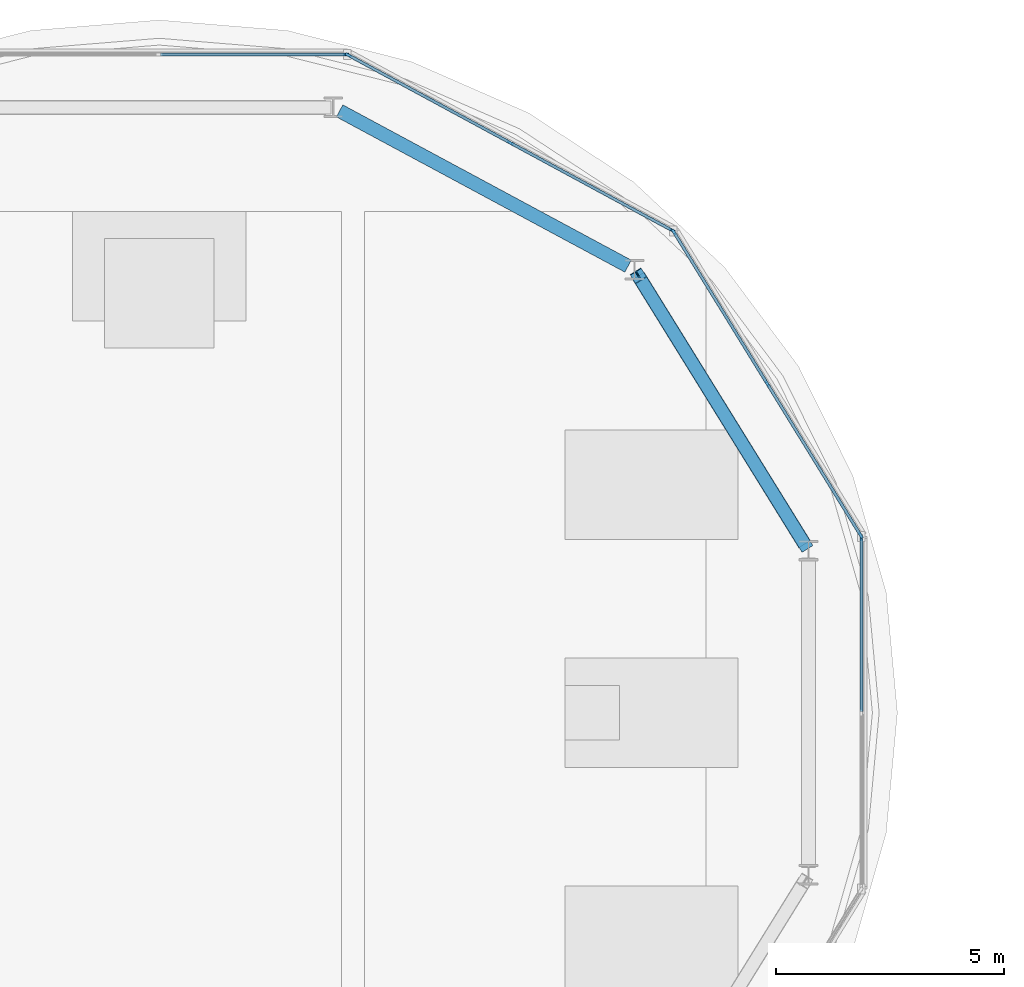
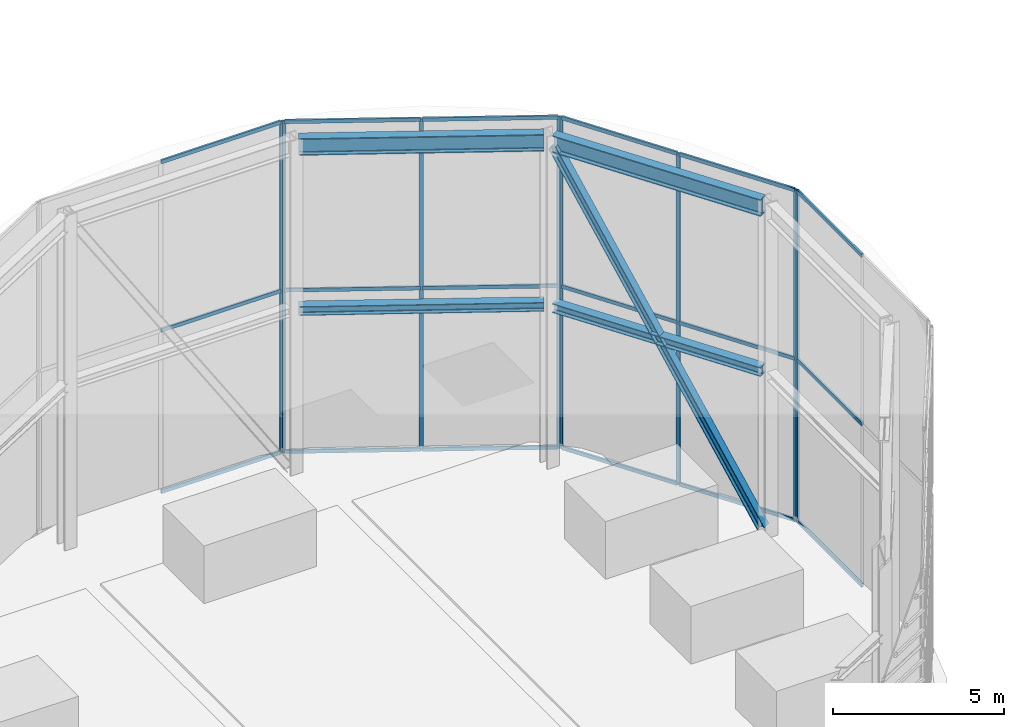
# One storey, part 6 of 17: 27 members, 4 beams, 4 elements without a shape of their own.
"""IFC4 building model written with IfcOpenShell, lengths in metres."""

from ifc_helpers import new_model, si_unit, direction, frame, origin, origin_2d, place, context, subcontext, project, spatial, rectangle, i_section, extrude, source, transform, mapped, material, layer, layer_set, material_profile, profile_set, type_object, type_shapes, element, aggregate, save


model = new_model("IFC4")

# Units and contexts
model_context = context("Model", 3, precision=1e-05, world=origin(), true_north=direction((0.0, 1.0)))
body_context = subcontext(model_context, "Body", "Model", "MODEL_VIEW")
ifc_project = project(units=[si_unit("LENGTHUNIT", "METRE"), si_unit("AREAUNIT", "SQUARE_METRE"), si_unit("VOLUMEUNIT", "CUBIC_METRE"), si_unit("PLANEANGLEUNIT", "RADIAN"), si_unit("MASSUNIT", "GRAM", prefix="KILO")], contexts=[model_context])

# Site, building, storey
site_placement = place(None, origin())
site = spatial("IfcSite", under=ifc_project, at=site_placement, CompositionType="ELEMENT")
building_placement = place(site_placement, origin())
building = spatial("IfcBuilding", under=site, at=building_placement, Name="Norrkilde Senior Care Towers", CompositionType="ELEMENT")
storey_placement = place(building_placement, frame((0.0, 0.0, 249.85009765625)))
storey = spatial("IfcBuildingStorey", under=building, at=storey_placement, Name="RF", CompositionType="ELEMENT", Elevation=249.85009765625)

# Beams
ifc_material_1 = material(Name="Steel S355", Category="steel")
ifc_material_profile_1 = material_profile(ifc_material_1, i_section(OverallWidth=0.300048828125, OverallDepth=0.60009765625, WebThickness=0.015380859375, FlangeThickness=0.030029296875, FilletRadius=0.027099609375, at=origin_2d()), Name="HEB 600")
ifc_profile_set_1 = profile_set([ifc_material_profile_1], Name="Steel S355")
beam_type_1 = type_object("IfcBeamType", Name="Crown Ring Top Girder CROWN FRAME", PredefinedType="USERDEFINED", material=ifc_profile_set_1)
shared_shape_1 = source(origin(), body_context, "Body", "SweptSolid", [
    extrude(i_section(OverallWidth=0.300048828125, OverallDepth=0.60009765625, WebThickness=0.015380859375, FlangeThickness=0.030029296875, FilletRadius=0.027099609375, at=origin_2d()), origin(), (0.0, 0.0, 1.0), 6.93017578125),
])
beam_1_placement = place(storey_placement, frame((-13.8369140625, 3.69482421875, 11.809814453125), z_axis=(-0.526520754643, 0.850162275645, 0.0), x_axis=(-0.850162275645, -0.526520754643, 0.0)))
element("IfcBeam", 1, at=beam_1_placement, inside=storey, type_object=beam_type_1, Name="RF Drum W Crown Ring Top Girder 01 CROWN FRAME", ObjectType="GIRDER", PredefinedType="USERDEFINED", context=body_context, shape_type="MappedRepresentation", body=[
    mapped(shared_shape_1, transform((0.0, 0.0, 0.0), x_axis=(1.0, 0.0, 0.0), y_axis=(0.0, 1.0, 0.0), z_axis=(0.0, 0.0, 1.0), scale=1.0)),
])
ifc_material_profile_2 = material_profile(ifc_material_1, i_section(OverallWidth=0.300048828125, OverallDepth=0.320068359375, WebThickness=0.011474609375, FlangeThickness=0.0205078125, FilletRadius=0.027099609375, at=origin_2d()), Name="HEB 320")
ifc_profile_set_2 = profile_set([ifc_material_profile_2], Name="Steel S355")
beam_type_2 = type_object("IfcBeamType", Name="Crown Ring Mid Spandrel CROWN FRAME", PredefinedType="SPANDREL", material=ifc_profile_set_2)
shared_shape_2 = source(origin(), body_context, "Body", "SweptSolid", [
    extrude(i_section(OverallWidth=0.300048828125, OverallDepth=0.320068359375, WebThickness=0.011474609375, FlangeThickness=0.0205078125, FilletRadius=0.027099609375, at=origin_2d()), origin(), (0.0, 0.0, 1.0), 6.93017578125),
])
beam_2_placement = place(storey_placement, frame((-13.8369140625, 3.69482421875, 5.949951171875), z_axis=(-0.526520754643, 0.850162275645, 0.0), x_axis=(-0.850162275645, -0.526520754643, 0.0)))
element("IfcBeam", 2, at=beam_2_placement, inside=storey, type_object=beam_type_2, Name="RF Drum W Crown Ring Mid Spandrel 01 CROWN FRAME", PredefinedType="SPANDREL", context=body_context, shape_type="MappedRepresentation", body=[
    mapped(shared_shape_2, transform((0.0, 0.0, 0.0), x_axis=(1.0, 0.0, 0.0), y_axis=(0.0, 1.0, 0.0), z_axis=(0.0, 0.0, 1.0), scale=1.0)),
])

# Member
ifc_material_profile_3 = material_profile(ifc_material_1, i_section(OverallWidth=0.280029296875, OverallDepth=0.280029296875, WebThickness=0.010498046875, FlangeThickness=0.01806640625, FilletRadius=0.02392578125, at=origin_2d()), Name="HEB 280")
ifc_profile_set_3 = profile_set([ifc_material_profile_3], Name="Steel S355")
member_type_1 = type_object("IfcMemberType", Name="Crown Frame Brace CROWN FRAME", PredefinedType="BRACE", material=ifc_profile_set_3)
shared_shape_3 = source(origin(), body_context, "Body", "SweptSolid", [
    extrude(i_section(OverallWidth=0.280029296875, OverallDepth=0.280029296875, WebThickness=0.010498046875, FlangeThickness=0.01806640625, FilletRadius=0.02392578125, at=origin_2d()), origin(), (0.0, 0.0, 1.0), 13.264404296875),
])
type_shapes(member_type_1, [shared_shape_3])
member_1_placement = place(storey_placement, frame((-13.8369140625, 3.69482421875, 0.349853515625), z_axis=(-0.275090388538, 0.444182814571, 0.852658727378), x_axis=(-0.850162275645, -0.526520754643, 0.0)))
element("IfcMember", 3, at=member_1_placement, inside=storey, type_object=member_type_1, Name="RF Drum W Crown Ring Brace 01 CROWN FRAME", PredefinedType="BRACE", context=body_context, shape_type="MappedRepresentation", body=[
    mapped(shared_shape_3, transform((0.0, 0.0, 0.0), x_axis=(1.0, 0.0, 0.0), y_axis=(0.0, 1.0, 0.0), z_axis=(0.0, 0.0, 1.0), scale=1.0)),
])

# Beams
shared_shape_4 = source(origin(), body_context, "Body", "SweptSolid", [
    extrude(i_section(OverallWidth=0.300048828125, OverallDepth=0.60009765625, WebThickness=0.015380859375, FlangeThickness=0.030029296875, FilletRadius=0.027099609375, at=origin_2d()), origin(), (0.0, 0.0, 1.0), 7.18896484375),
])
type_shapes(beam_type_1, [shared_shape_1, shared_shape_4])
beam_3_placement = place(storey_placement, frame((-17.711181640625, 9.798583984375, 11.809814453125), z_axis=(-0.880567044237, 0.473921597529, 0.0), x_axis=(-0.473921597529, -0.880567044237, 0.0)))
element("IfcBeam", 4, at=beam_3_placement, inside=storey, type_object=beam_type_1, Name="RF Drum W Crown Ring Top Girder 02 CROWN FRAME", ObjectType="GIRDER", PredefinedType="USERDEFINED", context=body_context, shape_type="MappedRepresentation", body=[
    mapped(shared_shape_4, transform((0.0, 0.0, 0.0), x_axis=(1.0, 0.0, 0.0), y_axis=(0.0, 1.0, 0.0), z_axis=(0.0, 0.0, 1.0), scale=1.0)),
])
shared_shape_5 = source(origin(), body_context, "Body", "SweptSolid", [
    extrude(i_section(OverallWidth=0.300048828125, OverallDepth=0.320068359375, WebThickness=0.011474609375, FlangeThickness=0.0205078125, FilletRadius=0.027099609375, at=origin_2d()), origin(), (0.0, 0.0, 1.0), 7.18896484375),
])
type_shapes(beam_type_2, [shared_shape_2, shared_shape_5])
beam_4_placement = place(storey_placement, frame((-17.711181640625, 9.798583984375, 5.949951171875), z_axis=(-0.880567044237, 0.473921597529, 0.0), x_axis=(-0.473921597529, -0.880567044237, 0.0)))
element("IfcBeam", 5, at=beam_4_placement, inside=storey, type_object=beam_type_2, Name="RF Drum W Crown Ring Mid Spandrel 02 CROWN FRAME", PredefinedType="SPANDREL", context=body_context, shape_type="MappedRepresentation", body=[
    mapped(shared_shape_5, transform((0.0, 0.0, 0.0), x_axis=(1.0, 0.0, 0.0), y_axis=(0.0, 1.0, 0.0), z_axis=(0.0, 0.0, 1.0), scale=1.0)),
])

# Curtain wall, members
ifc_material_2 = material(Name="Triple Low-E Insulated Glazing", Category="glass")
ifc_layer = layer(ifc_material_2, 0.205078125)
ifc_layer_set = layer_set([ifc_layer], Name="Triple Low-E Insulated Glazing")
curtain_wall_type = type_object("IfcCurtainWallType", Name="CW7 L76 Damper Lantern Clear Curtain Wall", PredefinedType="NOTDEFINED", material=ifc_layer_set)
curtain_wall_1_placement = place(storey_placement, origin())
curtain_wall_1 = element("IfcCurtainWall", 6, at=curtain_wall_1_placement, inside=storey, type_object=curtain_wall_type, Name="RF Ring Crown W Screen Wall 00", PredefinedType="NOTDEFINED")
ifc_material_3 = material(Name="Anodised Aluminium", Category="aluminium")
ifc_material_profile_4 = material_profile(ifc_material_3, rectangle(XDim=0.06005859375, YDim=0.139892578125, at=origin_2d()), Name="ALU MULL 60x140")
ifc_profile_set_4 = profile_set([ifc_material_profile_4], Name="Anodised Aluminium")
member_type_2 = type_object("IfcMemberType", Name="Curtain Wall Mullion Lantern 60x140", PredefinedType="MULLION", material=ifc_profile_set_4)
shared_shape_6 = source(origin(), body_context, "Body", "SweptSolid", [
    extrude(rectangle(XDim=0.06005859375, YDim=0.139892578125, at=origin_2d()), origin(), (0.0, 0.0, 1.0), 11.849853515625),
])
type_shapes(member_type_2, [shared_shape_6])
member_2_placement = place(storey_placement, frame((-16.705810546875, 10.545654296875, 0.0), z_axis=(0.0, 0.0, 1.0), x_axis=(0.85143610846, 0.524458342684, 0.0)))
member_2 = element("IfcMember", 7, at=member_2_placement, type_object=member_type_2, Name="CW-7 mullion 1", PredefinedType="MULLION", context=body_context, shape_type="MappedRepresentation", body=[
    mapped(shared_shape_6, transform((0.0, 0.0, 0.0), x_axis=(1.0, 0.0, 0.0), y_axis=(0.0, 1.0, 0.0), z_axis=(0.0, 0.0, 1.0), scale=1.0)),
])
member_3_placement = place(storey_placement, frame((-14.657470703125, 7.22021484375, 0.0), z_axis=(0.0, 0.0, 1.0), x_axis=(0.85143610846, 0.524458342684, 0.0)))
member_3 = element("IfcMember", 8, at=member_3_placement, type_object=member_type_2, Name="CW-7 mullion 2", PredefinedType="MULLION", context=body_context, shape_type="MappedRepresentation", body=[
    mapped(shared_shape_6, transform((0.0, 0.0, 0.0), x_axis=(1.0, 0.0, 0.0), y_axis=(0.0, 1.0, 0.0), z_axis=(0.0, 0.0, 1.0), scale=1.0)),
])
member_4_placement = place(storey_placement, frame((-12.609130859375, 3.894775390625, 0.0), z_axis=(0.0, 0.0, 1.0), x_axis=(0.85143610846, 0.524458342684, 0.0)))
member_4 = element("IfcMember", 9, at=member_4_placement, type_object=member_type_2, Name="CW-7 mullion 3", PredefinedType="MULLION", context=body_context, shape_type="MappedRepresentation", body=[
    mapped(shared_shape_6, transform((0.0, 0.0, 0.0), x_axis=(1.0, 0.0, 0.0), y_axis=(0.0, 1.0, 0.0), z_axis=(0.0, 0.0, 1.0), scale=1.0)),
])

curtain_wall_2_placement = place(storey_placement, origin())
curtain_wall_2 = element("IfcCurtainWall", 10, at=curtain_wall_2_placement, inside=storey, type_object=curtain_wall_type, Name="RF Ring Crown W Screen Wall 01", PredefinedType="NOTDEFINED")
member_5_placement = place(storey_placement, frame((-23.845458984375, 14.42626953125, 0.0), z_axis=(0.0, 0.0, 1.0), x_axis=(0.475933713829, 0.879481153886, 0.0)))
member_5 = element("IfcMember", 11, at=member_5_placement, type_object=member_type_2, Name="CW-7 mullion 1", PredefinedType="MULLION", context=body_context, shape_type="MappedRepresentation", body=[
    mapped(shared_shape_6, transform((0.0, 0.0, 0.0), x_axis=(1.0, 0.0, 0.0), y_axis=(0.0, 1.0, 0.0), z_axis=(0.0, 0.0, 1.0), scale=1.0)),
])
member_6_placement = place(storey_placement, frame((-20.296630859375, 12.505859375, 0.0), z_axis=(0.0, 0.0, 1.0), x_axis=(0.475933713829, 0.879481153886, 0.0)))
member_6 = element("IfcMember", 12, at=member_6_placement, type_object=member_type_2, Name="CW-7 mullion 2", PredefinedType="MULLION", context=body_context, shape_type="MappedRepresentation", body=[
    mapped(shared_shape_6, transform((0.0, 0.0, 0.0), x_axis=(1.0, 0.0, 0.0), y_axis=(0.0, 1.0, 0.0), z_axis=(0.0, 0.0, 1.0), scale=1.0)),
])
member_7_placement = place(storey_placement, frame((-16.748046875, 10.58544921875, 0.0), z_axis=(0.0, 0.0, 1.0), x_axis=(0.475933713829, 0.879481153886, 0.0)))
member_7 = element("IfcMember", 13, at=member_7_placement, type_object=member_type_2, Name="CW-7 mullion 3", PredefinedType="MULLION", context=body_context, shape_type="MappedRepresentation", body=[
    mapped(shared_shape_6, transform((0.0, 0.0, 0.0), x_axis=(1.0, 0.0, 0.0), y_axis=(0.0, 1.0, 0.0), z_axis=(0.0, 0.0, 1.0), scale=1.0)),
])

# Curtain wall, member
curtain_wall_3_placement = place(storey_placement, origin())
curtain_wall_3 = element("IfcCurtainWall", 14, at=curtain_wall_3_placement, inside=storey, type_object=curtain_wall_type, Name="RF Ring Crown W Screen Wall 02", PredefinedType="NOTDEFINED")
member_8_placement = place(storey_placement, frame((-23.90185546875, 14.440673828125, 0.0), z_axis=(0.0, 0.0, 1.0), x_axis=(0.0, 1.0, 0.0)))
member_8 = element("IfcMember", 15, at=member_8_placement, type_object=member_type_2, Name="CW-7 mullion 3", PredefinedType="MULLION", context=body_context, shape_type="MappedRepresentation", body=[
    mapped(shared_shape_6, transform((0.0, 0.0, 0.0), x_axis=(1.0, 0.0, 0.0), y_axis=(0.0, 1.0, 0.0), z_axis=(0.0, 0.0, 1.0), scale=1.0)),
])

curtain_wall_4_placement = place(storey_placement, origin())
curtain_wall_4 = element("IfcCurtainWall", 16, at=curtain_wall_4_placement, inside=storey, type_object=curtain_wall_type, Name="RF Ring Crown W Screen Wall 11", PredefinedType="NOTDEFINED")
member_9_placement = place(storey_placement, frame((-12.593505859375, 3.83935546875, 0.0), z_axis=(0.0, 0.0, 1.0), x_axis=(1.0, 0.0, 0.0)))
member_9 = element("IfcMember", 17, at=member_9_placement, type_object=member_type_2, Name="CW-7 mullion 1", PredefinedType="MULLION", context=body_context, shape_type="MappedRepresentation", body=[
    mapped(shared_shape_6, transform((0.0, 0.0, 0.0), x_axis=(1.0, 0.0, 0.0), y_axis=(0.0, 1.0, 0.0), z_axis=(0.0, 0.0, 1.0), scale=1.0)),
])

# Member
ifc_material_profile_5 = material_profile(ifc_material_3, rectangle(XDim=0.06494140625, YDim=0.1298828125, at=origin_2d()), Name="ALU TRAN 65x130")
ifc_profile_set_5 = profile_set([ifc_material_profile_5], Name="Anodised Aluminium")
member_type_3 = type_object("IfcMemberType", Name="Curtain Wall Transom Heavy 65x130", PredefinedType="USERDEFINED", material=ifc_profile_set_5)
shared_shape_7 = source(origin(), body_context, "Body", "SweptSolid", [
    extrude(rectangle(XDim=0.06494140625, YDim=0.1298828125, at=origin_2d()), origin(), (0.0, 0.0, 1.0), 3.845703125),
])
member_10_placement = place(storey_placement, frame((-16.690185546875, 10.520263671875, 0.032470703125), z_axis=(0.524440959275, -0.851446815858, 0.0), x_axis=(0.851446815858, 0.524440959275, 0.0)))
member_10 = element("IfcMember", 18, at=member_10_placement, type_object=member_type_3, Name="CW-7 transom 1.1", ObjectType="TRANSOM", PredefinedType="USERDEFINED", context=body_context, shape_type="MappedRepresentation", body=[
    mapped(shared_shape_7, transform((0.0, 0.0, 0.0), x_axis=(1.0, 0.0, 0.0), y_axis=(0.0, 1.0, 0.0), z_axis=(0.0, 0.0, 1.0), scale=1.0)),
])

member_11_placement = place(storey_placement, frame((-16.690185546875, 10.520263671875, 5.7998046875), z_axis=(0.524440959275, -0.851446815858, 0.0), x_axis=(0.851446815858, 0.524440959275, 0.0)))
member_11 = element("IfcMember", 19, at=member_11_placement, type_object=member_type_3, Name="CW-7 transom 1.2", ObjectType="TRANSOM", PredefinedType="USERDEFINED", context=body_context, shape_type="MappedRepresentation", body=[
    mapped(shared_shape_7, transform((0.0, 0.0, 0.0), x_axis=(1.0, 0.0, 0.0), y_axis=(0.0, 1.0, 0.0), z_axis=(0.0, 0.0, 1.0), scale=1.0)),
])

member_12_placement = place(storey_placement, frame((-16.690185546875, 10.520263671875, 11.8173828125), z_axis=(0.524440959275, -0.851446815858, 0.0), x_axis=(0.851446815858, 0.524440959275, 0.0)))
member_12 = element("IfcMember", 20, at=member_12_placement, type_object=member_type_3, Name="CW-7 transom 1.3", ObjectType="TRANSOM", PredefinedType="USERDEFINED", context=body_context, shape_type="MappedRepresentation", body=[
    mapped(shared_shape_7, transform((0.0, 0.0, 0.0), x_axis=(1.0, 0.0, 0.0), y_axis=(0.0, 1.0, 0.0), z_axis=(0.0, 0.0, 1.0), scale=1.0)),
])

member_13_placement = place(storey_placement, frame((-14.641845703125, 7.19482421875, 0.032470703125), z_axis=(0.524440959275, -0.851446815858, 0.0), x_axis=(0.851446815858, 0.524440959275, 0.0)))
member_13 = element("IfcMember", 21, at=member_13_placement, type_object=member_type_3, Name="CW-7 transom 2.1", ObjectType="TRANSOM", PredefinedType="USERDEFINED", context=body_context, shape_type="MappedRepresentation", body=[
    mapped(shared_shape_7, transform((0.0, 0.0, 0.0), x_axis=(1.0, 0.0, 0.0), y_axis=(0.0, 1.0, 0.0), z_axis=(0.0, 0.0, 1.0), scale=1.0)),
])

member_14_placement = place(storey_placement, frame((-14.641845703125, 7.19482421875, 5.7998046875), z_axis=(0.524440959275, -0.851446815858, 0.0), x_axis=(0.851446815858, 0.524440959275, 0.0)))
member_14 = element("IfcMember", 22, at=member_14_placement, type_object=member_type_3, Name="CW-7 transom 2.2", ObjectType="TRANSOM", PredefinedType="USERDEFINED", context=body_context, shape_type="MappedRepresentation", body=[
    mapped(shared_shape_7, transform((0.0, 0.0, 0.0), x_axis=(1.0, 0.0, 0.0), y_axis=(0.0, 1.0, 0.0), z_axis=(0.0, 0.0, 1.0), scale=1.0)),
])

member_15_placement = place(storey_placement, frame((-14.641845703125, 7.19482421875, 11.8173828125), z_axis=(0.524440959275, -0.851446815858, 0.0), x_axis=(0.851446815858, 0.524440959275, 0.0)))
member_15 = element("IfcMember", 23, at=member_15_placement, type_object=member_type_3, Name="CW-7 transom 2.3", ObjectType="TRANSOM", PredefinedType="USERDEFINED", context=body_context, shape_type="MappedRepresentation", body=[
    mapped(shared_shape_7, transform((0.0, 0.0, 0.0), x_axis=(1.0, 0.0, 0.0), y_axis=(0.0, 1.0, 0.0), z_axis=(0.0, 0.0, 1.0), scale=1.0)),
])

aggregate(curtain_wall_1, [member_2, member_3, member_4, member_10, member_11, member_12, member_13, member_14, member_15])

shared_shape_8 = source(origin(), body_context, "Body", "SweptSolid", [
    extrude(rectangle(XDim=0.06494140625, YDim=0.1298828125, at=origin_2d()), origin(), (0.0, 0.0, 1.0), 3.974853515625),
])
member_16_placement = place(storey_placement, frame((-23.819091796875, 14.412109375, 0.032470703125), z_axis=(0.879475172581, -0.475944766557, 0.0), x_axis=(0.475944766557, 0.879475172581, 0.0)))
member_16 = element("IfcMember", 24, at=member_16_placement, type_object=member_type_3, Name="CW-7 transom 1.1", ObjectType="TRANSOM", PredefinedType="USERDEFINED", context=body_context, shape_type="MappedRepresentation", body=[
    mapped(shared_shape_8, transform((0.0, 0.0, 0.0), x_axis=(1.0, 0.0, 0.0), y_axis=(0.0, 1.0, 0.0), z_axis=(0.0, 0.0, 1.0), scale=1.0)),
])

member_17_placement = place(storey_placement, frame((-23.819091796875, 14.412109375, 5.7998046875), z_axis=(0.879475172581, -0.475944766557, 0.0), x_axis=(0.475944766557, 0.879475172581, 0.0)))
member_17 = element("IfcMember", 25, at=member_17_placement, type_object=member_type_3, Name="CW-7 transom 1.2", ObjectType="TRANSOM", PredefinedType="USERDEFINED", context=body_context, shape_type="MappedRepresentation", body=[
    mapped(shared_shape_8, transform((0.0, 0.0, 0.0), x_axis=(1.0, 0.0, 0.0), y_axis=(0.0, 1.0, 0.0), z_axis=(0.0, 0.0, 1.0), scale=1.0)),
])

member_18_placement = place(storey_placement, frame((-23.819091796875, 14.412109375, 11.8173828125), z_axis=(0.879475172581, -0.475944766557, 0.0), x_axis=(0.475944766557, 0.879475172581, 0.0)))
member_18 = element("IfcMember", 26, at=member_18_placement, type_object=member_type_3, Name="CW-7 transom 1.3", ObjectType="TRANSOM", PredefinedType="USERDEFINED", context=body_context, shape_type="MappedRepresentation", body=[
    mapped(shared_shape_8, transform((0.0, 0.0, 0.0), x_axis=(1.0, 0.0, 0.0), y_axis=(0.0, 1.0, 0.0), z_axis=(0.0, 0.0, 1.0), scale=1.0)),
])

member_19_placement = place(storey_placement, frame((-20.270263671875, 12.49169921875, 0.032470703125), z_axis=(0.879475172581, -0.475944766557, 0.0), x_axis=(0.475944766557, 0.879475172581, 0.0)))
member_19 = element("IfcMember", 27, at=member_19_placement, type_object=member_type_3, Name="CW-7 transom 2.1", ObjectType="TRANSOM", PredefinedType="USERDEFINED", context=body_context, shape_type="MappedRepresentation", body=[
    mapped(shared_shape_8, transform((0.0, 0.0, 0.0), x_axis=(1.0, 0.0, 0.0), y_axis=(0.0, 1.0, 0.0), z_axis=(0.0, 0.0, 1.0), scale=1.0)),
])

member_20_placement = place(storey_placement, frame((-20.270263671875, 12.49169921875, 5.7998046875), z_axis=(0.879475172581, -0.475944766557, 0.0), x_axis=(0.475944766557, 0.879475172581, 0.0)))
member_20 = element("IfcMember", 28, at=member_20_placement, type_object=member_type_3, Name="CW-7 transom 2.2", ObjectType="TRANSOM", PredefinedType="USERDEFINED", context=body_context, shape_type="MappedRepresentation", body=[
    mapped(shared_shape_8, transform((0.0, 0.0, 0.0), x_axis=(1.0, 0.0, 0.0), y_axis=(0.0, 1.0, 0.0), z_axis=(0.0, 0.0, 1.0), scale=1.0)),
])

member_21_placement = place(storey_placement, frame((-20.270263671875, 12.49169921875, 11.8173828125), z_axis=(0.879475172581, -0.475944766557, 0.0), x_axis=(0.475944766557, 0.879475172581, 0.0)))
member_21 = element("IfcMember", 29, at=member_21_placement, type_object=member_type_3, Name="CW-7 transom 2.3", ObjectType="TRANSOM", PredefinedType="USERDEFINED", context=body_context, shape_type="MappedRepresentation", body=[
    mapped(shared_shape_8, transform((0.0, 0.0, 0.0), x_axis=(1.0, 0.0, 0.0), y_axis=(0.0, 1.0, 0.0), z_axis=(0.0, 0.0, 1.0), scale=1.0)),
])

aggregate(curtain_wall_2, [member_5, member_6, member_7, member_16, member_17, member_18, member_19, member_20, member_21])

shared_shape_9 = source(origin(), body_context, "Body", "SweptSolid", [
    extrude(rectangle(XDim=0.06494140625, YDim=0.1298828125, at=origin_2d()), origin(), (0.0, 0.0, 1.0), 4.0380859375),
])
member_22_placement = place(storey_placement, frame((-27.969970703125, 14.440673828125, 0.032470703125), z_axis=(1.0, 0.0, 0.0), x_axis=(0.0, 1.0, 0.0)))
member_22 = element("IfcMember", 30, at=member_22_placement, type_object=member_type_3, Name="CW-7 transom 2.1", ObjectType="TRANSOM", PredefinedType="USERDEFINED", context=body_context, shape_type="MappedRepresentation", body=[
    mapped(shared_shape_9, transform((0.0, 0.0, 0.0), x_axis=(1.0, 0.0, 0.0), y_axis=(0.0, 1.0, 0.0), z_axis=(0.0, 0.0, 1.0), scale=1.0)),
])

member_23_placement = place(storey_placement, frame((-27.969970703125, 14.440673828125, 5.7998046875), z_axis=(1.0, 0.0, 0.0), x_axis=(0.0, 1.0, 0.0)))
member_23 = element("IfcMember", 31, at=member_23_placement, type_object=member_type_3, Name="CW-7 transom 2.2", ObjectType="TRANSOM", PredefinedType="USERDEFINED", context=body_context, shape_type="MappedRepresentation", body=[
    mapped(shared_shape_9, transform((0.0, 0.0, 0.0), x_axis=(1.0, 0.0, 0.0), y_axis=(0.0, 1.0, 0.0), z_axis=(0.0, 0.0, 1.0), scale=1.0)),
])

member_24_placement = place(storey_placement, frame((-27.969970703125, 14.440673828125, 11.8173828125), z_axis=(1.0, 0.0, 0.0), x_axis=(0.0, 1.0, 0.0)))
member_24 = element("IfcMember", 32, at=member_24_placement, type_object=member_type_3, Name="CW-7 transom 2.3", ObjectType="TRANSOM", PredefinedType="USERDEFINED", context=body_context, shape_type="MappedRepresentation", body=[
    mapped(shared_shape_9, transform((0.0, 0.0, 0.0), x_axis=(1.0, 0.0, 0.0), y_axis=(0.0, 1.0, 0.0), z_axis=(0.0, 0.0, 1.0), scale=1.0)),
])

aggregate(curtain_wall_3, [member_8, member_22, member_23, member_24])

shared_shape_10 = source(origin(), body_context, "Body", "SweptSolid", [
    extrude(rectangle(XDim=0.06494140625, YDim=0.1298828125, at=origin_2d()), origin(), (0.0, 0.0, 1.0), 3.779296875),
])
type_shapes(member_type_3, [shared_shape_7, shared_shape_8, shared_shape_9, shared_shape_10])
member_25_placement = place(storey_placement, frame((-12.593505859375, 3.809326171875, 0.032470703125), z_axis=(0.0, -1.0, 0.0), x_axis=(1.0, 0.0, 0.0)))
member_25 = element("IfcMember", 33, at=member_25_placement, type_object=member_type_3, Name="CW-7 transom 1.1", ObjectType="TRANSOM", PredefinedType="USERDEFINED", context=body_context, shape_type="MappedRepresentation", body=[
    mapped(shared_shape_10, transform((0.0, 0.0, 0.0), x_axis=(1.0, 0.0, 0.0), y_axis=(0.0, 1.0, 0.0), z_axis=(0.0, 0.0, 1.0), scale=1.0)),
])

member_26_placement = place(storey_placement, frame((-12.593505859375, 3.809326171875, 5.7998046875), z_axis=(0.0, -1.0, 0.0), x_axis=(1.0, 0.0, 0.0)))
member_26 = element("IfcMember", 34, at=member_26_placement, type_object=member_type_3, Name="CW-7 transom 1.2", ObjectType="TRANSOM", PredefinedType="USERDEFINED", context=body_context, shape_type="MappedRepresentation", body=[
    mapped(shared_shape_10, transform((0.0, 0.0, 0.0), x_axis=(1.0, 0.0, 0.0), y_axis=(0.0, 1.0, 0.0), z_axis=(0.0, 0.0, 1.0), scale=1.0)),
])

member_27_placement = place(storey_placement, frame((-12.593505859375, 3.809326171875, 11.8173828125), z_axis=(0.0, -1.0, 0.0), x_axis=(1.0, 0.0, 0.0)))
member_27 = element("IfcMember", 35, at=member_27_placement, type_object=member_type_3, Name="CW-7 transom 1.3", ObjectType="TRANSOM", PredefinedType="USERDEFINED", context=body_context, shape_type="MappedRepresentation", body=[
    mapped(shared_shape_10, transform((0.0, 0.0, 0.0), x_axis=(1.0, 0.0, 0.0), y_axis=(0.0, 1.0, 0.0), z_axis=(0.0, 0.0, 1.0), scale=1.0)),
])

aggregate(curtain_wall_4, [member_9, member_25, member_26, member_27])

save(model, "model.ifc")
